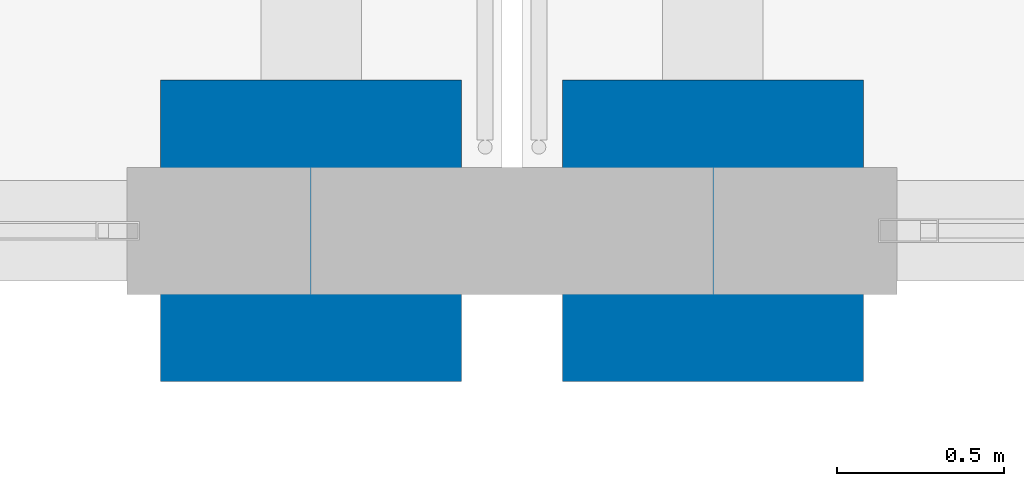
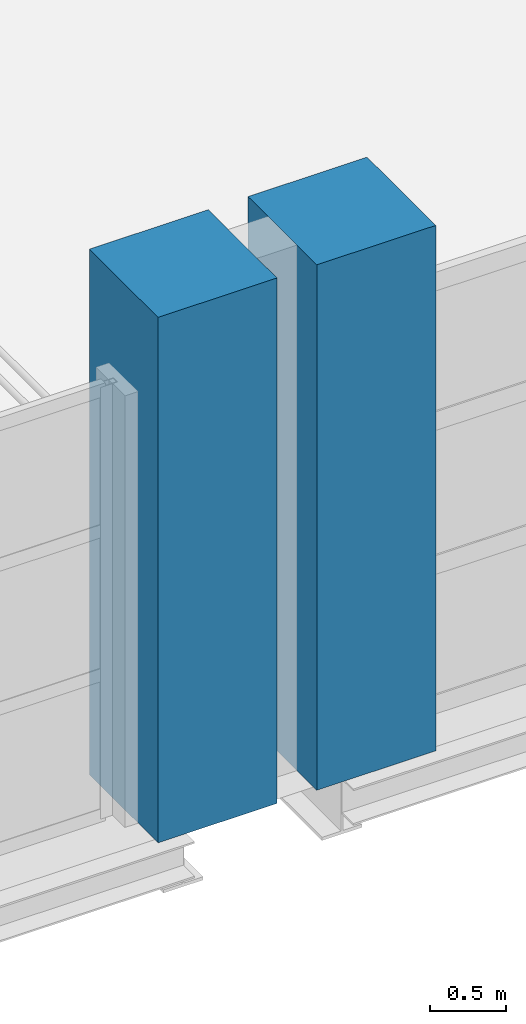
# One storey, part 13 of 158: 2 columns.
"""IFC4 building model written with IfcOpenShell, lengths in metres."""

from ifc_helpers import new_model, si_unit, direction, frame, origin, origin_2d, place, context, subcontext, project, spatial, rectangle, extrude, material, material_profile, profile_set, type_object, element, save


model = new_model("IFC4")

# Units and contexts
model_context = context("Model", 3, precision=1e-05, world=origin(), true_north=direction((0.0, 1.0)))
body_context = subcontext(model_context, "Body", "Model", "MODEL_VIEW")
ifc_project = project(units=[si_unit("LENGTHUNIT", "METRE"), si_unit("AREAUNIT", "SQUARE_METRE"), si_unit("VOLUMEUNIT", "CUBIC_METRE"), si_unit("PLANEANGLEUNIT", "RADIAN"), si_unit("MASSUNIT", "GRAM", prefix="KILO")], contexts=[model_context])

# Site, building, storey
site_placement = place(None, origin())
site = spatial("IfcSite", under=ifc_project, at=site_placement, CompositionType="ELEMENT")
building_placement = place(site_placement, origin())
building = spatial("IfcBuilding", under=site, at=building_placement, Name="Zilviju Railside Exhibition Hall", CompositionType="ELEMENT")
storey_placement = place(building_placement, frame((0.0, 0.0, 4.199951171875)))
storey = spatial("IfcBuildingStorey", under=building, at=storey_placement, Name="L02", CompositionType="ELEMENT", Elevation=4.199951171875)

# Columns
ifc_material = material(Name="Concrete C40/50", Category="concrete")
ifc_material_profile = material_profile(ifc_material, rectangle(XDim=0.89990234375, YDim=0.89990234375, at=origin_2d()), Name="RC COL 900x900")
ifc_profile_set = profile_set([ifc_material_profile], Name="Concrete C40/50")
column_type = type_object("IfcColumnType", Name="COL-RC-900", PredefinedType="COLUMN", material=ifc_profile_set)
for number, where, z_axis, x_axis, name in (
    (1, (125.39990234375, 84.0, 0.0), (0.0, 0.0, 1.0), (1.0, 0.0, 0.0), "Structural Column L02 (125.4, 84.0)"),
    (2, (126.60009765625, 84.0, 0.0), (0.0, 0.0, 1.0), (1.0, 0.0, 0.0), "Structural Column L02 (126.6, 84.0)"),
):
    element("IfcColumn", number, at=place(storey_placement, frame(where, z_axis=z_axis, x_axis=x_axis)), inside=storey, type_object=column_type, Name=name, PredefinedType="COLUMN", context=body_context, shape_type="SweptSolid", body=[
        extrude(rectangle(XDim=0.89990234375, YDim=0.89990234375, at=origin_2d()), origin(), (0.0, 0.0, 1.0), 4.199951171875),
    ])

save(model, "model.ifc")
